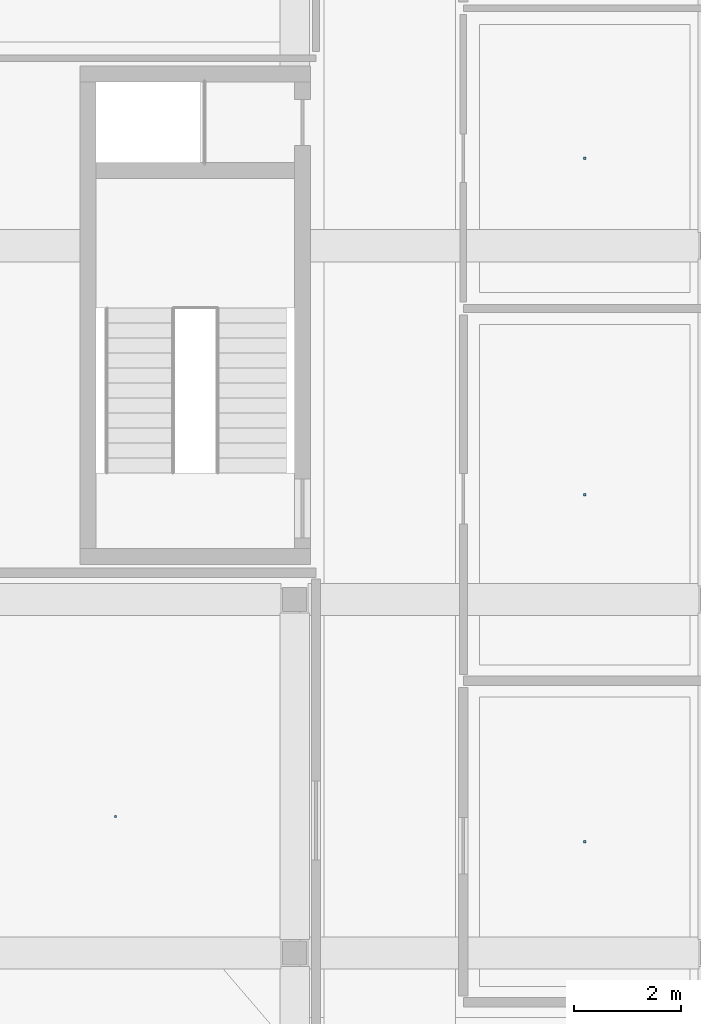
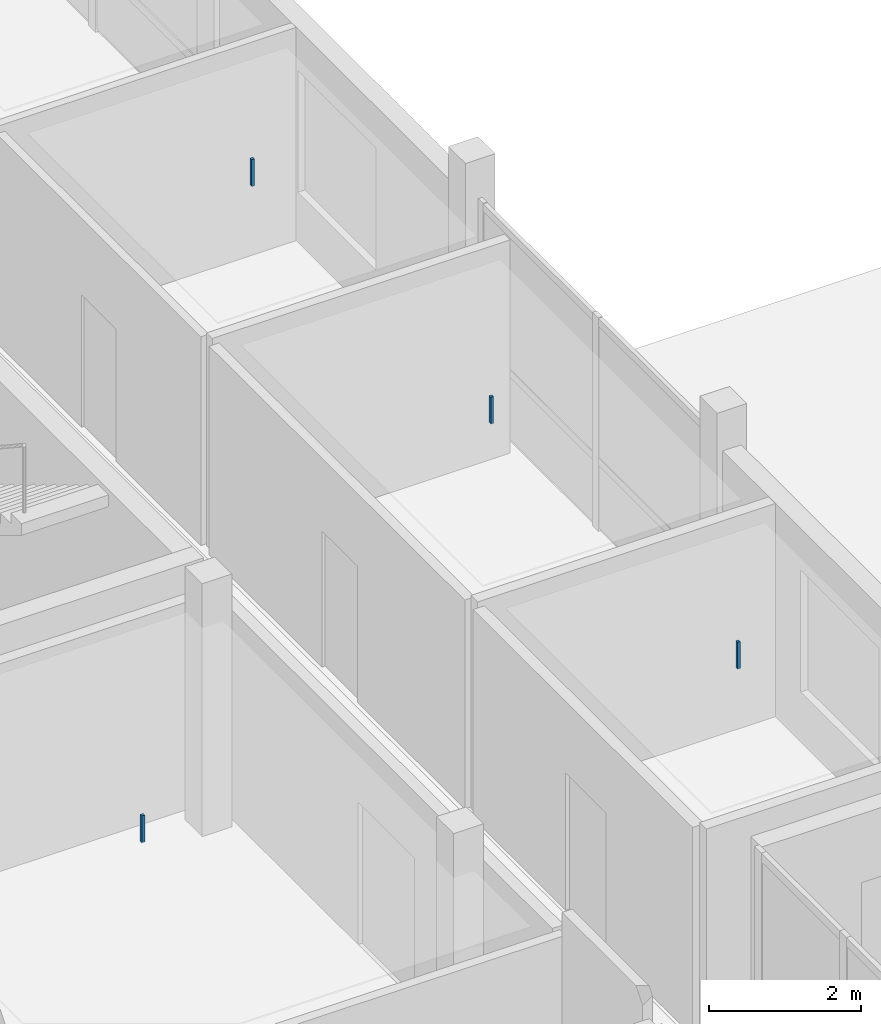
# One storey, part 68 of 86: 4 discrete accessories.
"""IFC4 building model written with IfcOpenShell, lengths in metres."""

import ifcopenshell
import ifcopenshell.guid

model = None  # the IFC model being written
_history = None  # IfcOwnerHistory: only IFC2X3 demands one
_inside = {}  # id of a spatial element -> (the spatial element, [elements in it])
_under = {}  # id of a project, library or spatial element -> (it, [spatial elements below it])
_declared = {}  # id of a project -> (the project, [libraries it declares])
_typed = {}  # id of a type object -> (the type object, [elements of that type])
_made_of = {}  # id of a material, layer set ... -> (it, [elements and type objects made of it])


def new_model(schema):
    """Start an empty IFC model of exactly this schema.

    Asked for "IFC4X3", IfcOpenShell would pick the latest addendum, in which some entities
    have other attributes; the version numbers below select the first issue.
    IFC2X3 requires an IfcOwnerHistory on every rooted entity: one is made here for all.
    """
    global model, _history
    if schema == "IFC4X3":
        model = ifcopenshell.file(schema_version=(4, 3, 0, 0))
    else:
        model = ifcopenshell.file(schema=schema)
    _inside.clear()
    _under.clear()
    _declared.clear()
    _typed.clear()
    _made_of.clear()
    _history = None
    if model.schema == "IFC2X3":
        org = make("IfcOrganization", Name="unknown")
        user = make(
            "IfcPersonAndOrganization",
            ThePerson=make("IfcPerson", FamilyName="unknown"),
            TheOrganization=org,
        )
        app = make(
            "IfcApplication",
            ApplicationDeveloper=org,
            Version="unknown",
            ApplicationFullName="unknown",
            ApplicationIdentifier="unknown",
        )
        _history = make(
            "IfcOwnerHistory",
            OwningUser=user,
            OwningApplication=app,
            ChangeAction="ADDED",
            CreationDate=0,
        )
    return model


def make(cls, **values):
    """One entity of the class cls with the attributes given. An attribute that is None is left unset."""
    return model.create_entity(
        cls, **{name: value for name, value in values.items() if value is not None}
    )


def rooted(cls, **values):
    """An entity with a GlobalId (a new one), such as an element, a storey or a relation."""
    return make(cls, GlobalId=ifcopenshell.guid.new(), OwnerHistory=_history, **values)


def si_unit(unit_type, name, prefix=None):
    """IfcSIUnit, for example si_unit("LENGTHUNIT", "METRE", prefix="MILLI")."""
    return make("IfcSIUnit", UnitType=unit_type, Prefix=prefix, Name=name)


def derived_unit(unit_type, elements):
    """IfcDerivedUnit: a product of units, each with its exponent."""
    return make(
        "IfcDerivedUnit",
        Elements=[
            make("IfcDerivedUnitElement", Unit=unit, Exponent=power)
            for unit, power in elements
        ],
        UnitType=unit_type,
    )


def assignment(units):
    """IfcUnitAssignment: the units of a project."""
    return None if units is None else make("IfcUnitAssignment", Units=units)


def point(xyz):
    """IfcCartesianPoint."""
    return None if xyz is None else make("IfcCartesianPoint", Coordinates=xyz)


def direction(xyz):
    """IfcDirection."""
    return None if xyz is None else make("IfcDirection", DirectionRatios=xyz)


def frame(location, z_axis=None, x_axis=None):
    """IfcAxis2Placement3D, a coordinate frame: its origin and axes. An axis left out is left unset."""
    return make(
        "IfcAxis2Placement3D",
        Location=point(location),
        Axis=direction(z_axis),
        RefDirection=direction(x_axis),
    )


def frame_2d(location, x_axis=None):
    """IfcAxis2Placement2D, a coordinate frame in the plane: its origin and x axis."""
    return make(
        "IfcAxis2Placement2D", Location=point(location), RefDirection=direction(x_axis)
    )


def origin():
    """The frame at (0, 0, 0) with its axes left unset."""
    return frame((0.0, 0.0, 0.0))


def origin_2d():
    """The frame at (0, 0) in the plane with its x axis left unset."""
    return frame_2d((0.0, 0.0))


def place(relative_to, where):
    """IfcLocalPlacement: puts the frame where relative to a parent placement (None: the world)."""
    return make(
        "IfcLocalPlacement", PlacementRelTo=relative_to, RelativePlacement=where
    )


def context(
    kind, dimensions, precision=None, world=None, true_north=None, identifier=None
):
    """IfcGeometricRepresentationContext, for example the 3D "Model" context."""
    return make(
        "IfcGeometricRepresentationContext",
        ContextIdentifier=identifier,
        ContextType=kind,
        CoordinateSpaceDimension=dimensions,
        Precision=precision,
        WorldCoordinateSystem=world,
        TrueNorth=true_north,
    )


def subcontext(parent, identifier, kind, view, scale=None):
    """IfcGeometricRepresentationSubContext, for example "Body" below "Model"."""
    return make(
        "IfcGeometricRepresentationSubContext",
        ContextIdentifier=identifier,
        ContextType=kind,
        ParentContext=parent,
        TargetScale=scale,
        TargetView=view,
    )


def project(units=None, contexts=None):
    """IfcProject with its units and contexts."""
    return rooted(
        "IfcProject",
        Name="project",
        RepresentationContexts=contexts,
        UnitsInContext=assignment(units),
    )


def spatial(cls, under=None, at=None, **own):
    """A site, building, storey or space (cls), placed at a placement, below another one or the project."""
    s = rooted(cls, ObjectPlacement=at, **own)
    if under is not None:
        _under.setdefault(under.id(), (under, []))[1].append(s)
    return s


def profile(cls, at=None, kind="AREA", **sizes):
    """A parametric profile (cls). Its sizes go by their IFC names, for example OverallWidth=200.0."""
    return make(cls, ProfileType=kind, Position=at, **sizes)


def rectangle(**sizes):
    """IfcRectangleProfileDef."""
    return profile("IfcRectangleProfileDef", **sizes)


def extrude(swept, where, along, depth):
    """IfcExtrudedAreaSolid: the profile swept, set in the frame where, extruded along a direction by depth."""
    return make(
        "IfcExtrudedAreaSolid",
        SweptArea=swept,
        Position=where,
        ExtrudedDirection=direction(along),
        Depth=depth,
    )


def shape(context_of_items, identifier, shape_type, items):
    """IfcShapeRepresentation: the items that make up one representation, for example the "Body"."""
    return make(
        "IfcShapeRepresentation",
        ContextOfItems=context_of_items,
        RepresentationIdentifier=identifier,
        RepresentationType=shape_type,
        Items=items,
    )


def material(Name=None, Category=None):
    """IfcMaterial."""
    return make("IfcMaterial", Name=Name, Category=Category)


def made_of(thing, what):
    """Note that an element or type object is made of a material, layer set ...; save() writes the relation."""
    if what is not None:
        _made_of.setdefault(what.id(), (what, []))[1].append(thing)
    return thing


def type_object(cls, material=None, **own):
    """A type object (cls), such as IfcWallType, which elements share."""
    return made_of(rooted(cls, **own), material)


def element(
    cls,
    number,
    at=None,
    inside=None,
    cuts=None,
    type_object=None,
    material=None,
    context=None,
    identifier="Body",
    shape_type=None,
    held_by="IfcProductDefinitionShape",
    body=None,
    shapes=None,
    **own,
):
    """One element of the class cls, such as IfcWall. Its Tag is "e" and its number.

    at: its placement. inside: the storey or other place that contains it. cuts: it is an
    opening in that element (IfcRelVoidsElement). A single representation is given by context,
    identifier, shape_type and body (its items); several are given by shapes. held_by: the class
    of the entity that holds the representations. save() writes the other relations.
    """
    e = rooted(cls, Tag="e%d" % number, ObjectPlacement=at, **own)
    if body is not None:
        shapes = [shape(context, identifier, shape_type, body)]
    if shapes is not None:
        e.Representation = make(held_by, Representations=shapes)
    if inside is not None:
        _inside.setdefault(inside.id(), (inside, []))[1].append(e)
    if cuts is not None:
        rooted(
            "IfcRelVoidsElement", RelatingBuildingElement=cuts, RelatedOpeningElement=e
        )
    if type_object is not None:
        _typed.setdefault(type_object.id(), (type_object, []))[1].append(e)
    return made_of(e, material)


def aggregate(whole, parts):
    """IfcRelAggregates: a whole, such as a stair, and the parts it consists of."""
    return rooted("IfcRelAggregates", RelatingObject=whole, RelatedObjects=parts)


def save(model, path):
    """Write the relations noted so far, then the file.

    IfcRelAggregates (storeys below a building ...), IfcRelContainedInSpatialStructure (elements
    in a storey), IfcRelDefinesByType, IfcRelAssociatesMaterial and IfcRelDeclares: one each for
    every whole, place, type object, material and project.
    """
    for whole, parts in _under.values():
        aggregate(whole, parts)
    for where, things in _inside.values():
        rooted(
            "IfcRelContainedInSpatialStructure",
            RelatedElements=things,
            RelatingStructure=where,
        )
    for kind, things in _typed.values():
        rooted("IfcRelDefinesByType", RelatedObjects=things, RelatingType=kind)
    for what, things in _made_of.values():
        rooted("IfcRelAssociatesMaterial", RelatedObjects=things, RelatingMaterial=what)
    for by, libraries in _declared.values():
        rooted("IfcRelDeclares", RelatingContext=by, RelatedDefinitions=libraries)
    model.write(path)


model = new_model("IFC4")

# Units and contexts
model_context = context("Model", 3, precision=1e-05, world=origin(), true_north=direction((0.0, 1.0)))
body_context = subcontext(model_context, "Body", "Model", "MODEL_VIEW")
ifc_project = project(units=[si_unit("LENGTHUNIT", "METRE"), si_unit("AREAUNIT", "SQUARE_METRE"), si_unit("VOLUMEUNIT", "CUBIC_METRE"), si_unit("PLANEANGLEUNIT", "RADIAN"), si_unit("MASSUNIT", "GRAM", prefix="KILO"), derived_unit("THERMALTRANSMITTANCEUNIT", [(si_unit("POWERUNIT", "WATT"), 1), (si_unit("LENGTHUNIT", "METRE"), -2), (si_unit("THERMODYNAMICTEMPERATUREUNIT", "KELVIN"), -1)])], contexts=[model_context])

# Site, building, storey
site_placement = place(None, origin())
site = spatial("IfcSite", under=ifc_project, at=site_placement, CompositionType="ELEMENT")
building_placement = place(site_placement, origin())
building = spatial("IfcBuilding", under=site, at=building_placement, Name="Braskholm Square Health Centre", CompositionType="ELEMENT")
storey_placement = place(building_placement, frame((0.0, 0.0, 13.5)))
storey = spatial("IfcBuildingStorey", under=building, at=storey_placement, Name="L04", CompositionType="ELEMENT", Elevation=13.5)

# Discrete accessories
ifc_material = material(Name="Steel ASTM A500 Grade C", Category="steel")
discrete_accessory_type = type_object("IfcDiscreteAccessoryType", Name="CeilingSuspensionBracket", PredefinedType="BRACKET", material=ifc_material)
for number, where, z_axis, x_axis, name in (
    (1, (8.06005859375, 83.14990234375, 3.33203125), (0.0, 0.0, 1.0), (1.0, 0.0, 0.0), "Ceiling hanger bracket 0067"),
    (2, (16.81494140625, 82.679931640625, 3.33203125), (0.0, 0.0, 1.0), (1.0, 0.0, 0.0), "Ceiling hanger bracket 0074"),
    (3, (16.81494140625, 89.155029296875, 3.33203125), (0.0, 0.0, 1.0), (1.0, 0.0, 0.0), "Ceiling hanger bracket 0075"),
    (4, (16.81494140625, 95.429931640625, 3.33203125), (0.0, 0.0, 1.0), (1.0, 0.0, 0.0), "Ceiling hanger bracket 0076"),
):
    element("IfcDiscreteAccessory", number, at=place(storey_placement, frame(where, z_axis=z_axis, x_axis=x_axis)), inside=storey, type_object=discrete_accessory_type, Name=name, PredefinedType="BRACKET", context=body_context, shape_type="SweptSolid", body=[
        extrude(rectangle(XDim=0.044921875, YDim=0.044921875, at=origin_2d()), origin(), (0.0, 0.0, 1.0), 0.429931640625),
    ])

save(model, "model.ifc")
